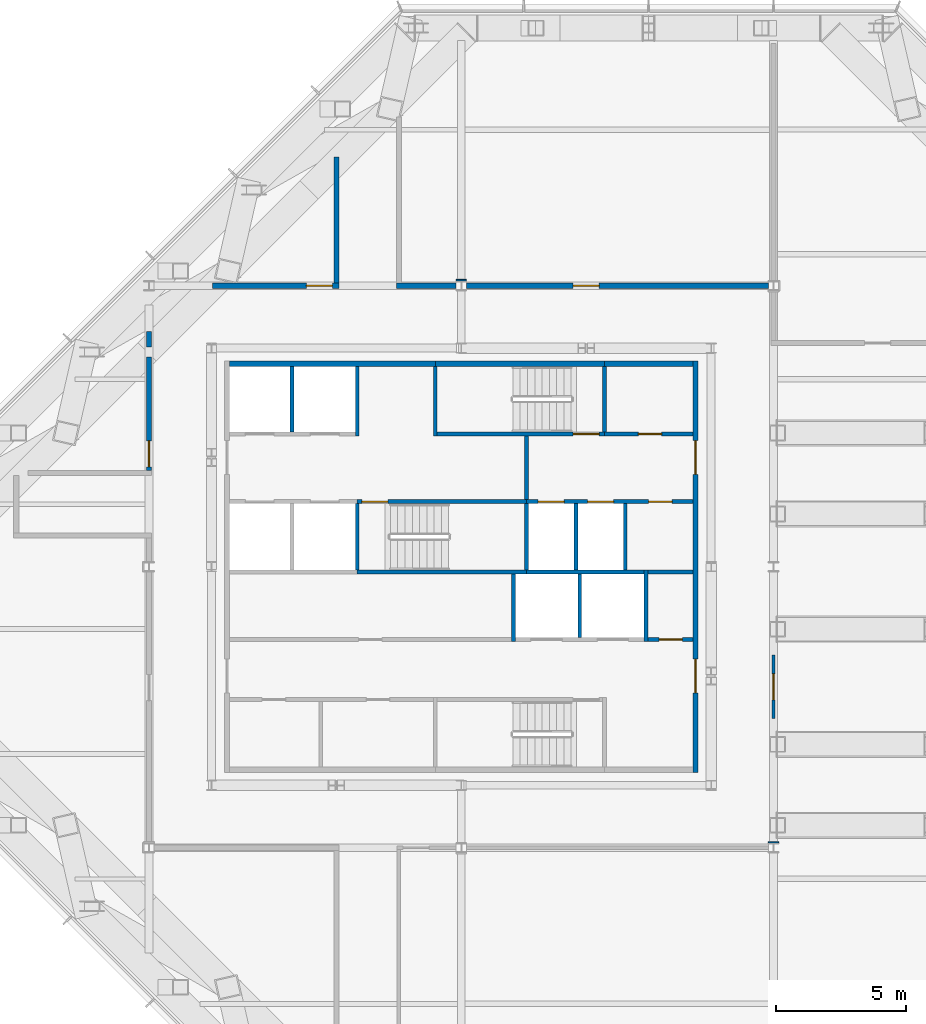
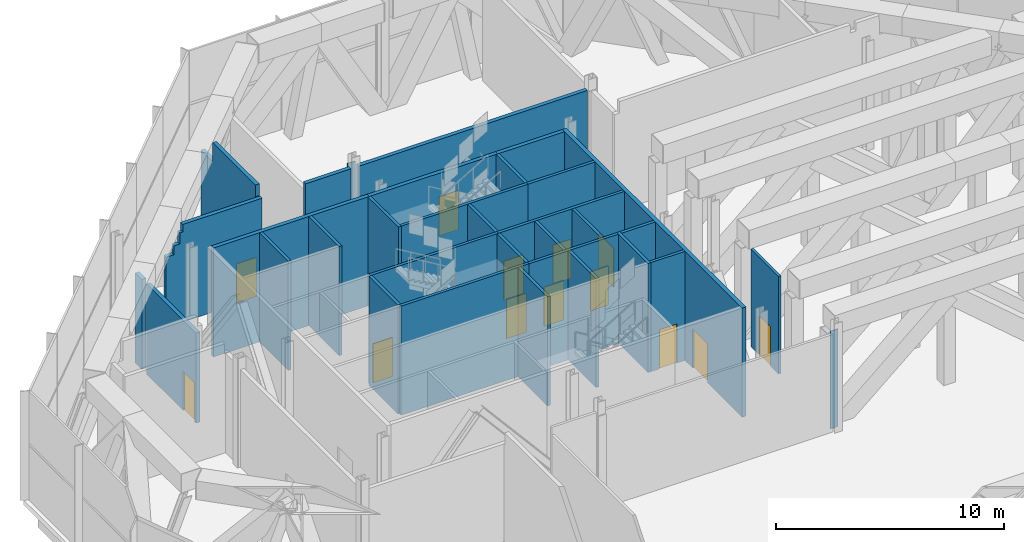
# One storey, part 15 of 18: 33 walls, 13 doors, 13 openings.
"""IFC4 building model written with IfcOpenShell, lengths in metres."""

import ifcopenshell
import ifcopenshell.guid

model = None  # the IFC model being written
_history = None  # IfcOwnerHistory: only IFC2X3 demands one
_inside = {}  # id of a spatial element -> (the spatial element, [elements in it])
_under = {}  # id of a project, library or spatial element -> (it, [spatial elements below it])
_declared = {}  # id of a project -> (the project, [libraries it declares])
_typed = {}  # id of a type object -> (the type object, [elements of that type])
_made_of = {}  # id of a material, layer set ... -> (it, [elements and type objects made of it])


def new_model(schema):
    """Start an empty IFC model of exactly this schema.

    Asked for "IFC4X3", IfcOpenShell would pick the latest addendum, in which some entities
    have other attributes; the version numbers below select the first issue.
    IFC2X3 requires an IfcOwnerHistory on every rooted entity: one is made here for all.
    """
    global model, _history
    if schema == "IFC4X3":
        model = ifcopenshell.file(schema_version=(4, 3, 0, 0))
    else:
        model = ifcopenshell.file(schema=schema)
    _inside.clear()
    _under.clear()
    _declared.clear()
    _typed.clear()
    _made_of.clear()
    _history = None
    if model.schema == "IFC2X3":
        org = make("IfcOrganization", Name="unknown")
        user = make(
            "IfcPersonAndOrganization",
            ThePerson=make("IfcPerson", FamilyName="unknown"),
            TheOrganization=org,
        )
        app = make(
            "IfcApplication",
            ApplicationDeveloper=org,
            Version="unknown",
            ApplicationFullName="unknown",
            ApplicationIdentifier="unknown",
        )
        _history = make(
            "IfcOwnerHistory",
            OwningUser=user,
            OwningApplication=app,
            ChangeAction="ADDED",
            CreationDate=0,
        )
    return model


def make(cls, **values):
    """One entity of the class cls with the attributes given. An attribute that is None is left unset."""
    return model.create_entity(
        cls, **{name: value for name, value in values.items() if value is not None}
    )


def rooted(cls, **values):
    """An entity with a GlobalId (a new one), such as an element, a storey or a relation."""
    return make(cls, GlobalId=ifcopenshell.guid.new(), OwnerHistory=_history, **values)


def si_unit(unit_type, name, prefix=None):
    """IfcSIUnit, for example si_unit("LENGTHUNIT", "METRE", prefix="MILLI")."""
    return make("IfcSIUnit", UnitType=unit_type, Prefix=prefix, Name=name)


def assignment(units):
    """IfcUnitAssignment: the units of a project."""
    return None if units is None else make("IfcUnitAssignment", Units=units)


def point(xyz):
    """IfcCartesianPoint."""
    return None if xyz is None else make("IfcCartesianPoint", Coordinates=xyz)


def direction(xyz):
    """IfcDirection."""
    return None if xyz is None else make("IfcDirection", DirectionRatios=xyz)


def frame(location, z_axis=None, x_axis=None):
    """IfcAxis2Placement3D, a coordinate frame: its origin and axes. An axis left out is left unset."""
    return make(
        "IfcAxis2Placement3D",
        Location=point(location),
        Axis=direction(z_axis),
        RefDirection=direction(x_axis),
    )


def frame_2d(location, x_axis=None):
    """IfcAxis2Placement2D, a coordinate frame in the plane: its origin and x axis."""
    return make(
        "IfcAxis2Placement2D", Location=point(location), RefDirection=direction(x_axis)
    )


def origin():
    """The frame at (0, 0, 0) with its axes left unset."""
    return frame((0.0, 0.0, 0.0))


def place(relative_to, where):
    """IfcLocalPlacement: puts the frame where relative to a parent placement (None: the world)."""
    return make(
        "IfcLocalPlacement", PlacementRelTo=relative_to, RelativePlacement=where
    )


def context(
    kind, dimensions, precision=None, world=None, true_north=None, identifier=None
):
    """IfcGeometricRepresentationContext, for example the 3D "Model" context."""
    return make(
        "IfcGeometricRepresentationContext",
        ContextIdentifier=identifier,
        ContextType=kind,
        CoordinateSpaceDimension=dimensions,
        Precision=precision,
        WorldCoordinateSystem=world,
        TrueNorth=true_north,
    )


def subcontext(parent, identifier, kind, view, scale=None):
    """IfcGeometricRepresentationSubContext, for example "Body" below "Model"."""
    return make(
        "IfcGeometricRepresentationSubContext",
        ContextIdentifier=identifier,
        ContextType=kind,
        ParentContext=parent,
        TargetScale=scale,
        TargetView=view,
    )


def project(units=None, contexts=None):
    """IfcProject with its units and contexts."""
    return rooted(
        "IfcProject",
        Name="project",
        RepresentationContexts=contexts,
        UnitsInContext=assignment(units),
    )


def spatial(cls, under=None, at=None, **own):
    """A site, building, storey or space (cls), placed at a placement, below another one or the project."""
    s = rooted(cls, ObjectPlacement=at, **own)
    if under is not None:
        _under.setdefault(under.id(), (under, []))[1].append(s)
    return s


def polyline(points):
    """IfcPolyline through the points."""
    return make("IfcPolyline", Points=[point(p) for p in points])


def profile(cls, at=None, kind="AREA", **sizes):
    """A parametric profile (cls). Its sizes go by their IFC names, for example OverallWidth=200.0."""
    return make(cls, ProfileType=kind, Position=at, **sizes)


def rectangle(**sizes):
    """IfcRectangleProfileDef."""
    return profile("IfcRectangleProfileDef", **sizes)


def outline(outer, holes=None, kind="AREA"):
    """IfcArbitraryClosedProfileDef: a profile drawn as a closed curve; with holes, ...WithVoids."""
    if holes is None:
        return make("IfcArbitraryClosedProfileDef", ProfileType=kind, OuterCurve=outer)
    return make(
        "IfcArbitraryProfileDefWithVoids",
        ProfileType=kind,
        OuterCurve=outer,
        InnerCurves=holes,
    )


def extrude(swept, where, along, depth):
    """IfcExtrudedAreaSolid: the profile swept, set in the frame where, extruded along a direction by depth."""
    return make(
        "IfcExtrudedAreaSolid",
        SweptArea=swept,
        Position=where,
        ExtrudedDirection=direction(along),
        Depth=depth,
    )


def shape(context_of_items, identifier, shape_type, items):
    """IfcShapeRepresentation: the items that make up one representation, for example the "Body"."""
    return make(
        "IfcShapeRepresentation",
        ContextOfItems=context_of_items,
        RepresentationIdentifier=identifier,
        RepresentationType=shape_type,
        Items=items,
    )


def material(Name=None, Category=None):
    """IfcMaterial."""
    return make("IfcMaterial", Name=Name, Category=Category)


def layer(
    of_material, thickness, ventilated=None, Name=None, Category=None, Priority=None
):
    """IfcMaterialLayer: one layer of a wall or slab, of a material (None: an air gap)."""
    return make(
        "IfcMaterialLayer",
        Material=of_material,
        LayerThickness=thickness,
        IsVentilated=ventilated,
        Name=Name,
        Category=Category,
        Priority=Priority,
    )


def layer_set(layers, Name=None):
    """IfcMaterialLayerSet."""
    return make("IfcMaterialLayerSet", MaterialLayers=layers, LayerSetName=Name)


def made_of(thing, what):
    """Note that an element or type object is made of a material, layer set ...; save() writes the relation."""
    if what is not None:
        _made_of.setdefault(what.id(), (what, []))[1].append(thing)
    return thing


def type_object(cls, material=None, **own):
    """A type object (cls), such as IfcWallType, which elements share."""
    return made_of(rooted(cls, **own), material)


def element(
    cls,
    number,
    at=None,
    inside=None,
    cuts=None,
    type_object=None,
    material=None,
    context=None,
    identifier="Body",
    shape_type=None,
    held_by="IfcProductDefinitionShape",
    body=None,
    shapes=None,
    **own,
):
    """One element of the class cls, such as IfcWall. Its Tag is "e" and its number.

    at: its placement. inside: the storey or other place that contains it. cuts: it is an
    opening in that element (IfcRelVoidsElement). A single representation is given by context,
    identifier, shape_type and body (its items); several are given by shapes. held_by: the class
    of the entity that holds the representations. save() writes the other relations.
    """
    e = rooted(cls, Tag="e%d" % number, ObjectPlacement=at, **own)
    if body is not None:
        shapes = [shape(context, identifier, shape_type, body)]
    if shapes is not None:
        e.Representation = make(held_by, Representations=shapes)
    if inside is not None:
        _inside.setdefault(inside.id(), (inside, []))[1].append(e)
    if cuts is not None:
        rooted(
            "IfcRelVoidsElement", RelatingBuildingElement=cuts, RelatedOpeningElement=e
        )
    if type_object is not None:
        _typed.setdefault(type_object.id(), (type_object, []))[1].append(e)
    return made_of(e, material)


def fill(opening, filler):
    """IfcRelFillsElement: the door or window that sits in an opening."""
    return rooted(
        "IfcRelFillsElement",
        RelatingOpeningElement=opening,
        RelatedBuildingElement=filler,
    )


def aggregate(whole, parts):
    """IfcRelAggregates: a whole, such as a stair, and the parts it consists of."""
    return rooted("IfcRelAggregates", RelatingObject=whole, RelatedObjects=parts)


def save(model, path):
    """Write the relations noted so far, then the file.

    IfcRelAggregates (storeys below a building ...), IfcRelContainedInSpatialStructure (elements
    in a storey), IfcRelDefinesByType, IfcRelAssociatesMaterial and IfcRelDeclares: one each for
    every whole, place, type object, material and project.
    """
    for whole, parts in _under.values():
        aggregate(whole, parts)
    for where, things in _inside.values():
        rooted(
            "IfcRelContainedInSpatialStructure",
            RelatedElements=things,
            RelatingStructure=where,
        )
    for kind, things in _typed.values():
        rooted("IfcRelDefinesByType", RelatedObjects=things, RelatingType=kind)
    for what, things in _made_of.values():
        rooted("IfcRelAssociatesMaterial", RelatedObjects=things, RelatingMaterial=what)
    for by, libraries in _declared.values():
        rooted("IfcRelDeclares", RelatingContext=by, RelatedDefinitions=libraries)
    model.write(path)


model = new_model("IFC4")

# Units and contexts
model_context = context("Model", 3, precision=1e-05, world=origin(), true_north=direction((0.0, 1.0)))
body_context = subcontext(model_context, "Body", "Model", "MODEL_VIEW")
ifc_project = project(units=[si_unit("LENGTHUNIT", "METRE"), si_unit("AREAUNIT", "SQUARE_METRE"), si_unit("VOLUMEUNIT", "CUBIC_METRE"), si_unit("PLANEANGLEUNIT", "RADIAN"), si_unit("MASSUNIT", "GRAM", prefix="KILO")], contexts=[model_context])

# Site, building, storey
site_placement = place(None, origin())
site = spatial("IfcSite", under=ifc_project, at=site_placement, CompositionType="ELEMENT")
building_placement = place(site_placement, origin())
building = spatial("IfcBuilding", under=site, at=building_placement, Name="Cairn Pilgrim Tower", CompositionType="ELEMENT")
storey_placement = place(building_placement, frame((0.0, 0.0, 261.0)))
storey = spatial("IfcBuildingStorey", under=building, at=storey_placement, Name="L67", CompositionType="ELEMENT", Elevation=261.0)

# Walls
ifc_material_1 = material(Name="Concrete C32/40", Category="concrete")
ifc_layer_1 = layer(ifc_material_1, 0.199951171875)
ifc_layer_set_1 = layer_set([ifc_layer_1], Name="CORE OUTER WALL 200 EI 120")
wall_type_1 = type_object("IfcWallType", Name="CORE OUTER WALL 200 EI 120", PredefinedType="SOLIDWALL", material=ifc_layer_set_1)
wall_1_placement = place(storey_placement, frame((-1.699951171875, 10.199951171875, 0.0), z_axis=(0.0, 0.0, 1.0), x_axis=(1.0, 0.0, 0.0)))
element("IfcWall", 1, at=wall_1_placement, inside=storey, type_object=wall_type_1, Name="CW:L67:H12-1", PredefinedType="SOLIDWALL", context=body_context, shape_type="SweptSolid", body=[
    extrude(rectangle(XDim=7.89990234375, YDim=0.199951171875, at=frame_2d((3.949951171875, 0.0))), origin(), (0.0, 0.0, 1.0), 5.85009765625),
])
wall_2_placement = place(storey_placement, frame((12.699951171875, 10.199951171875, 0.0), z_axis=(0.0, 0.0, 1.0), x_axis=(1.0, 0.0, 0.0)))
element("IfcWall", 2, at=wall_2_placement, inside=storey, type_object=wall_type_1, Name="CW:L67:H12-3", PredefinedType="SOLIDWALL", context=body_context, shape_type="SweptSolid", body=[
    extrude(rectangle(XDim=3.400146484375, YDim=0.199951171875, at=frame_2d((1.7001953125, 0.0))), origin(), (0.0, 0.0, 1.0), 5.85009765625),
])

# Wall, openings, doors
wall_3_placement = place(storey_placement, frame((16.199951171875, -5.5, 0.0), z_axis=(0.0, 0.0, 1.0), x_axis=(0.0, 1.0, 0.0)))
wall_3 = element("IfcWall", 3, at=wall_3_placement, inside=storey, type_object=wall_type_1, Name="CW:L67:V30", PredefinedType="SOLIDWALL", context=body_context, shape_type="SweptSolid", body=[
    extrude(rectangle(XDim=15.800048828125, YDim=0.199951171875, at=frame_2d((7.89990234375, 0.0))), origin(), (0.0, 0.0, 1.0), 5.85009765625),
])
opening_1_placement = place(wall_3_placement, frame((3.050048828125, 0.0, 0.0)))
opening_1 = element("IfcOpeningElement", 4, at=opening_1_placement, cuts=wall_3, Name="Opening CD-E1", PredefinedType="OPENING", context=body_context, shape_type="SweptSolid", body=[
    extrude(rectangle(XDim=1.300048828125, YDim=2.10009765625, at=frame_2d((0.64990234375, 1.050048828125))), frame((0.0, 0.10986328125, 0.0), z_axis=(0.0, -1.0, 0.0), x_axis=(1.0, 0.0, 0.0)), (0.0, 0.0, 1.0), 0.219970703125),
])
opening_2_placement = place(wall_3_placement, frame((11.449951171875, 0.0, 0.0)))
opening_2 = element("IfcOpeningElement", 5, at=opening_2_placement, cuts=wall_3, Name="Opening CD-E2", PredefinedType="OPENING", context=body_context, shape_type="SweptSolid", body=[
    extrude(rectangle(XDim=1.300048828125, YDim=2.10009765625, at=frame_2d((0.64990234375, 1.050048828125))), frame((0.0, 0.10986328125, 0.0), z_axis=(0.0, -1.0, 0.0), x_axis=(1.0, 0.0, 0.0)), (0.0, 0.0, 1.0), 0.219970703125),
])
ifc_material_2 = material(Name="Painted steel", Category="steel")
door_type_1 = type_object("IfcDoorType", Name="CORE LOBBY DOOR 1300x2100", OperationType="DOUBLE_DOOR_SINGLE_SWING", PredefinedType="DOOR", material=ifc_material_2)
door_1_placement = place(opening_1_placement, origin())
door_1 = element("IfcDoor", 6, at=door_1_placement, inside=storey, type_object=door_type_1, Name="CD-E1", OperationType="DOUBLE_DOOR_SINGLE_SWING", OverallHeight=2.10009765625, OverallWidth=1.300048828125, PredefinedType="DOOR", context=body_context, shape_type="SweptSolid", body=[
    extrude(rectangle(XDim=1.300048828125, YDim=2.10009765625, at=frame_2d((0.64990234375, 1.050048828125))), frame((0.0, 0.02490234375, 0.0), z_axis=(0.0, -1.0, 0.0), x_axis=(1.0, 0.0, 0.0)), (0.0, 0.0, 1.0), 0.050048828125),
])
fill(opening_1, door_1)
door_2_placement = place(opening_2_placement, origin())
door_2 = element("IfcDoor", 7, at=door_2_placement, inside=storey, type_object=door_type_1, Name="CD-E2", OperationType="DOUBLE_DOOR_SINGLE_SWING", OverallHeight=2.10009765625, OverallWidth=1.300048828125, PredefinedType="DOOR", context=body_context, shape_type="SweptSolid", body=[
    extrude(rectangle(XDim=1.300048828125, YDim=2.10009765625, at=frame_2d((0.64990234375, 1.050048828125))), frame((0.0, 0.02490234375, 0.0), z_axis=(0.0, -1.0, 0.0), x_axis=(1.0, 0.0, 0.0)), (0.0, 0.0, 1.0), 0.050048828125),
])
fill(opening_2, door_2)

# Wall, opening, door
ifc_layer_2 = layer(ifc_material_1, 0.14990234375)
ifc_layer_set_2 = layer_set([ifc_layer_2], Name="CORE PARTITION 150 EI 60")
wall_type_2 = type_object("IfcWallType", Name="CORE PARTITION 150 EI 60", PredefinedType="PARTITIONING", material=ifc_layer_set_2)
wall_4_placement = place(storey_placement, frame((14.375, -0.39990234375, 0.0), z_axis=(0.0, 0.0, 1.0), x_axis=(1.0, 0.0, 0.0)))
wall_4 = element("IfcWall", 8, at=wall_4_placement, inside=storey, type_object=wall_type_2, Name="CW:L67:H06", PredefinedType="PARTITIONING", context=body_context, shape_type="SweptSolid", body=[
    extrude(rectangle(XDim=1.72509765625, YDim=0.14990234375, at=frame_2d((0.862548828125, 0.0))), origin(), (0.0, 0.0, 1.0), 5.85009765625),
])
opening_3_placement = place(wall_4_placement, frame((0.425048828125, 0.0, 0.0)))
opening_3 = element("IfcOpeningElement", 9, at=opening_3_placement, cuts=wall_4, Name="Opening RD-R2E", PredefinedType="OPENING", context=body_context, shape_type="SweptSolid", body=[
    extrude(rectangle(XDim=0.89990234375, YDim=2.10009765625, at=frame_2d((0.449951171875, 1.050048828125))), frame((0.0, 0.0849609375, 0.0), z_axis=(0.0, -1.0, 0.0), x_axis=(1.0, 0.0, 0.0)), (0.0, 0.0, 1.0), 0.169921875),
])
door_type_2 = type_object("IfcDoorType", Name="SERVICE ROOM DOOR 900x2100", OperationType="SINGLE_SWING_LEFT", PredefinedType="DOOR", material=ifc_material_2)
door_3_placement = place(opening_3_placement, origin())
door_3 = element("IfcDoor", 10, at=door_3_placement, inside=storey, type_object=door_type_2, Name="RD-R2E", OperationType="SINGLE_SWING_LEFT", OverallHeight=2.10009765625, OverallWidth=0.89990234375, PredefinedType="DOOR", context=body_context, shape_type="SweptSolid", body=[
    extrude(rectangle(XDim=0.89990234375, YDim=2.10009765625, at=frame_2d((0.449951171875, 1.050048828125))), frame((0.0, 0.02490234375, 0.0), z_axis=(0.0, -1.0, 0.0), x_axis=(1.0, 0.0, 0.0)), (0.0, 0.0, 1.0), 0.050048828125),
])
fill(opening_3, door_3)

# Walls
wall_5_placement = place(storey_placement, frame((14.375, 2.199951171875, 0.0), z_axis=(0.0, 0.0, 1.0), x_axis=(1.0, 0.0, 0.0)))
element("IfcWall", 11, at=wall_5_placement, inside=storey, type_object=wall_type_2, Name="CW:L67:H08", PredefinedType="PARTITIONING", context=body_context, shape_type="SweptSolid", body=[
    extrude(rectangle(XDim=1.72509765625, YDim=0.14990234375, at=frame_2d((0.862548828125, 0.0))), origin(), (0.0, 0.0, 1.0), 5.85009765625),
])
ifc_layer_3 = layer(ifc_material_1, 0.14990234375)
ifc_layer_set_3 = layer_set([ifc_layer_3], Name="CORE SHAFT WALL 150 EI 120")
wall_type_3 = type_object("IfcWallType", Name="CORE SHAFT WALL 150 EI 120", PredefinedType="SOLIDWALL", material=ifc_layer_set_3)
wall_6_placement = place(storey_placement, frame((9.699951171875, 2.199951171875, 0.0), z_axis=(0.0, 0.0, 1.0), x_axis=(1.0, 0.0, 0.0)))
element("IfcWall", 12, at=wall_6_placement, inside=storey, type_object=wall_type_3, Name="CW:L67:H07-3", PredefinedType="SOLIDWALL", context=body_context, shape_type="SweptSolid", body=[
    extrude(rectangle(XDim=4.525146484375, YDim=0.14990234375, at=frame_2d((2.2626953125, 0.0))), origin(), (0.0, 0.0, 1.0), 5.85009765625),
])

# Wall, openings, doors
wall_7_placement = place(storey_placement, frame((9.699951171875, 4.89990234375, 0.0), z_axis=(0.0, 0.0, 1.0), x_axis=(1.0, 0.0, 0.0)))
wall_7 = element("IfcWall", 13, at=wall_7_placement, inside=storey, type_object=wall_type_3, Name="CW:L67:H09-3", PredefinedType="SOLIDWALL", context=body_context, shape_type="SweptSolid", body=[
    extrude(rectangle(XDim=6.400146484375, YDim=0.14990234375, at=frame_2d((3.2001953125, 0.0))), origin(), (0.0, 0.0, 1.0), 5.85009765625),
])
opening_4_placement = place(wall_7_placement, frame((0.449951171875, 0.0, 0.0)))
opening_4 = element("IfcOpeningElement", 14, at=opening_4_placement, cuts=wall_7, Name="Opening LD-FF1", PredefinedType="OPENING", context=body_context, shape_type="SweptSolid", body=[
    extrude(rectangle(XDim=1.0, YDim=2.10009765625, at=frame_2d((0.5, 1.050048828125))), frame((0.0, 0.0849609375, 0.0), z_axis=(0.0, -1.0, 0.0), x_axis=(1.0, 0.0, 0.0)), (0.0, 0.0, 1.0), 0.169921875),
])
opening_5_placement = place(wall_7_placement, frame((2.35009765625, 0.0, 0.0)))
opening_5 = element("IfcOpeningElement", 15, at=opening_5_placement, cuts=wall_7, Name="Opening LD-FF2", PredefinedType="OPENING", context=body_context, shape_type="SweptSolid", body=[
    extrude(rectangle(XDim=1.0, YDim=2.10009765625, at=frame_2d((0.5, 1.050048828125))), frame((0.0, 0.0849609375, 0.0), z_axis=(0.0, -1.0, 0.0), x_axis=(1.0, 0.0, 0.0)), (0.0, 0.0, 1.0), 0.169921875),
])
opening_6_placement = place(wall_7_placement, frame((4.699951171875, 0.0, 0.0)))
opening_6 = element("IfcOpeningElement", 16, at=opening_6_placement, cuts=wall_7, Name="Opening RD-R3E", PredefinedType="OPENING", context=body_context, shape_type="SweptSolid", body=[
    extrude(rectangle(XDim=0.89990234375, YDim=2.10009765625, at=frame_2d((0.449951171875, 1.050048828125))), frame((0.0, 0.0849609375, 0.0), z_axis=(0.0, -1.0, 0.0), x_axis=(1.0, 0.0, 0.0)), (0.0, 0.0, 1.0), 0.169921875),
])
ifc_material_3 = material(Name="Stainless steel", Category="steel")
door_type_3 = type_object("IfcDoorType", Name="LIFT LANDING DOOR FIRE 1000x2100", OperationType="DOUBLE_DOOR_SLIDING", PredefinedType="DOOR", material=ifc_material_3)
door_4_placement = place(opening_4_placement, origin())
door_4 = element("IfcDoor", 17, at=door_4_placement, inside=storey, type_object=door_type_3, Name="LANDING DOOR FF1", OperationType="DOUBLE_DOOR_SLIDING", OverallHeight=2.10009765625, OverallWidth=1.0, PredefinedType="DOOR", context=body_context, shape_type="SweptSolid", body=[
    extrude(rectangle(XDim=1.0, YDim=2.10009765625, at=frame_2d((0.5, 1.050048828125))), frame((0.0, 0.02490234375, 0.0), z_axis=(0.0, -1.0, 0.0), x_axis=(1.0, 0.0, 0.0)), (0.0, 0.0, 1.0), 0.050048828125),
])
fill(opening_4, door_4)
door_5_placement = place(opening_5_placement, origin())
door_5 = element("IfcDoor", 18, at=door_5_placement, inside=storey, type_object=door_type_3, Name="LANDING DOOR FF2", OperationType="DOUBLE_DOOR_SLIDING", OverallHeight=2.10009765625, OverallWidth=1.0, PredefinedType="DOOR", context=body_context, shape_type="SweptSolid", body=[
    extrude(rectangle(XDim=1.0, YDim=2.10009765625, at=frame_2d((0.5, 1.050048828125))), frame((0.0, 0.02490234375, 0.0), z_axis=(0.0, -1.0, 0.0), x_axis=(1.0, 0.0, 0.0)), (0.0, 0.0, 1.0), 0.050048828125),
])
fill(opening_5, door_5)
door_6_placement = place(opening_6_placement, origin())
door_6 = element("IfcDoor", 19, at=door_6_placement, inside=storey, type_object=door_type_2, Name="RD-R3E", OperationType="SINGLE_SWING_RIGHT", OverallHeight=2.10009765625, OverallWidth=0.89990234375, PredefinedType="DOOR", context=body_context, shape_type="SweptSolid", body=[
    extrude(rectangle(XDim=0.89990234375, YDim=2.10009765625, at=frame_2d((0.449951171875, 1.050048828125))), frame((0.0, 0.02490234375, 0.0), z_axis=(0.0, -1.0, 0.0), x_axis=(1.0, 0.0, 0.0)), (0.0, 0.0, 1.0), 0.050048828125),
])
fill(opening_6, door_6)

# Wall, opening, door
wall_8_placement = place(storey_placement, frame((12.699951171875, 7.5, 0.0), z_axis=(0.0, 0.0, 1.0), x_axis=(1.0, 0.0, 0.0)))
wall_8 = element("IfcWall", 20, at=wall_8_placement, inside=storey, type_object=wall_type_3, Name="CW:L67:H11-2", PredefinedType="SOLIDWALL", context=body_context, shape_type="SweptSolid", body=[
    extrude(rectangle(XDim=3.400146484375, YDim=0.14990234375, at=frame_2d((1.7001953125, 0.0))), origin(), (0.0, 0.0, 1.0), 5.85009765625),
])
opening_7_placement = place(wall_8_placement, frame((1.300048828125, 0.0, 0.0)))
opening_7 = element("IfcOpeningElement", 21, at=opening_7_placement, cuts=wall_8, Name="Opening RD-R4E", PredefinedType="OPENING", context=body_context, shape_type="SweptSolid", body=[
    extrude(rectangle(XDim=0.89990234375, YDim=2.10009765625, at=frame_2d((0.449951171875, 1.050048828125))), frame((0.0, 0.0849609375, 0.0), z_axis=(0.0, -1.0, 0.0), x_axis=(1.0, 0.0, 0.0)), (0.0, 0.0, 1.0), 0.169921875),
])
door_7_placement = place(opening_7_placement, origin())
door_7 = element("IfcDoor", 22, at=door_7_placement, inside=storey, type_object=door_type_2, Name="RD-R4E", OperationType="SINGLE_SWING_LEFT", OverallHeight=2.10009765625, OverallWidth=0.89990234375, PredefinedType="DOOR", context=body_context, shape_type="SweptSolid", body=[
    extrude(rectangle(XDim=0.89990234375, YDim=2.10009765625, at=frame_2d((0.449951171875, 1.050048828125))), frame((0.0, 0.02490234375, 0.0), z_axis=(0.0, -1.0, 0.0), x_axis=(1.0, 0.0, 0.0)), (0.0, 0.0, 1.0), 0.050048828125),
])
fill(opening_7, door_7)

# Walls
wall_9_placement = place(storey_placement, frame((0.699951171875, 7.574951171875, 0.0), z_axis=(0.0, 0.0, 1.0), x_axis=(0.0, 1.0, 0.0)))
element("IfcWall", 23, at=wall_9_placement, inside=storey, type_object=wall_type_3, Name="CW:L67:V15", PredefinedType="SOLIDWALL", context=body_context, shape_type="SweptSolid", body=[
    extrude(rectangle(XDim=2.525146484375, YDim=0.14990234375, at=frame_2d((1.2626953125, 0.0))), origin(), (0.0, 0.0, 1.0), 5.85009765625),
])
wall_10_placement = place(storey_placement, frame((3.199951171875, 7.425048828125, 0.0), z_axis=(0.0, 0.0, 1.0), x_axis=(0.0, 1.0, 0.0)))
element("IfcWall", 24, at=wall_10_placement, inside=storey, type_object=wall_type_3, Name="CW:L67:V18", PredefinedType="SOLIDWALL", context=body_context, shape_type="SweptSolid", body=[
    extrude(rectangle(XDim=2.675048828125, YDim=0.14990234375, at=frame_2d((1.33740234375, 0.0))), origin(), (0.0, 0.0, 1.0), 5.85009765625),
])
wall_11_placement = place(storey_placement, frame((9.199951171875, -0.47509765625, 0.0), z_axis=(0.0, 0.0, 1.0), x_axis=(0.0, 1.0, 0.0)))
element("IfcWall", 25, at=wall_11_placement, inside=storey, type_object=wall_type_3, Name="CW:L67:V21", PredefinedType="SOLIDWALL", context=body_context, shape_type="SweptSolid", body=[
    extrude(rectangle(XDim=2.60009765625, YDim=0.14990234375, at=frame_2d((1.300048828125, 0.0))), origin(), (0.0, 0.0, 1.0), 5.85009765625),
])
wall_12_placement = place(storey_placement, frame((9.699951171875, 4.97509765625, 0.0), z_axis=(0.0, 0.0, 1.0), x_axis=(0.0, 1.0, 0.0)))
element("IfcWall", 26, at=wall_12_placement, inside=storey, type_object=wall_type_3, Name="CW:L67:V23", PredefinedType="SOLIDWALL", context=body_context, shape_type="SweptSolid", body=[
    extrude(rectangle(XDim=2.449951171875, YDim=0.14990234375, at=frame_2d((1.22509765625, 0.0))), origin(), (0.0, 0.0, 1.0), 5.85009765625),
])
wall_13_placement = place(storey_placement, frame((11.60009765625, 2.27490234375, 0.0), z_axis=(0.0, 0.0, 1.0), x_axis=(0.0, 1.0, 0.0)))
element("IfcWall", 27, at=wall_13_placement, inside=storey, type_object=wall_type_3, Name="CW:L67:V24", PredefinedType="SOLIDWALL", context=body_context, shape_type="SweptSolid", body=[
    extrude(rectangle(XDim=2.550048828125, YDim=0.14990234375, at=frame_2d((1.27490234375, 0.0))), origin(), (0.0, 0.0, 1.0), 5.85009765625),
])
wall_14_placement = place(storey_placement, frame((11.75, -0.324951171875, 0.0), z_axis=(0.0, 0.0, 1.0), x_axis=(0.0, 1.0, 0.0)))
element("IfcWall", 28, at=wall_14_placement, inside=storey, type_object=wall_type_3, Name="CW:L67:V25", PredefinedType="SOLIDWALL", context=body_context, shape_type="SweptSolid", body=[
    extrude(rectangle(XDim=2.449951171875, YDim=0.14990234375, at=frame_2d((1.22509765625, 0.0))), origin(), (0.0, 0.0, 1.0), 5.85009765625),
])
wall_15_placement = place(storey_placement, frame((13.5, 2.27490234375, 0.0), z_axis=(0.0, 0.0, 1.0), x_axis=(0.0, 1.0, 0.0)))
element("IfcWall", 29, at=wall_15_placement, inside=storey, type_object=wall_type_3, Name="CW:L67:V28", PredefinedType="SOLIDWALL", context=body_context, shape_type="SweptSolid", body=[
    extrude(rectangle(XDim=2.550048828125, YDim=0.14990234375, at=frame_2d((1.27490234375, 0.0))), origin(), (0.0, 0.0, 1.0), 5.85009765625),
])
wall_16_placement = place(storey_placement, frame((14.300048828125, -0.47509765625, 0.0), z_axis=(0.0, 0.0, 1.0), x_axis=(0.0, 1.0, 0.0)))
element("IfcWall", 30, at=wall_16_placement, inside=storey, type_object=wall_type_3, Name="CW:L67:V29", PredefinedType="SOLIDWALL", context=body_context, shape_type="SweptSolid", body=[
    extrude(rectangle(XDim=2.75, YDim=0.14990234375, at=frame_2d((1.375, 0.0))), origin(), (0.0, 0.0, 1.0), 5.85009765625),
])

# Wall, opening, door
ifc_material_4 = material(Name="Gypsum partition")
ifc_layer_4 = layer(ifc_material_4, 0.125)
ifc_layer_set_4 = layer_set([ifc_layer_4], Name="PARTITION 125 DRYWALL EI 60")
wall_type_4 = type_object("IfcWallType", Name="PARTITION 125 DRYWALL EI 60", PredefinedType="PARTITIONING", material=ifc_layer_set_4)
wall_17_placement = place(storey_placement, frame((19.199951171875, -3.429931640625, 0.0), z_axis=(0.0, 0.0, 1.0), x_axis=(0.0, 1.0, 0.0)))
wall_17 = element("IfcWall", 31, at=wall_17_placement, inside=storey, type_object=wall_type_4, Name="PARTITION W008", PredefinedType="PARTITIONING", context=body_context, shape_type="SweptSolid", body=[
    extrude(rectangle(XDim=2.429931640625, YDim=0.125, at=frame_2d((1.21484375, 0.0))), origin(), (0.0, 0.0, 1.0), 5.22998046875),
])
opening_8_placement = place(wall_17_placement, frame((0.715087890625, 0.0, 0.0)))
opening_8 = element("IfcOpeningElement", 32, at=opening_8_placement, cuts=wall_17, Name="Opening 6708", PredefinedType="OPENING", context=body_context, shape_type="SweptSolid", body=[
    extrude(rectangle(XDim=1.0, YDim=2.10009765625, at=frame_2d((0.5, 1.050048828125))), frame((0.0, 0.072509765625, 0.0), z_axis=(0.0, -1.0, 0.0), x_axis=(1.0, 0.0, 0.0)), (0.0, 0.0, 1.0), 0.14501953125),
])
ifc_material_5 = material(Name="Steel-faced fire door leaf", Category="steel")
door_type_4 = type_object("IfcDoorType", Name="FIRE DOOR 1000x2100 FD60S", OperationType="NOTDEFINED", PredefinedType="DOOR", material=ifc_material_5)
door_8_placement = place(opening_8_placement, origin())
door_8 = element("IfcDoor", 33, at=door_8_placement, inside=storey, type_object=door_type_4, Name="DOOR 6708", OperationType="SINGLE_SWING_RIGHT", OverallHeight=2.10009765625, OverallWidth=1.0, PredefinedType="DOOR", context=body_context, shape_type="SweptSolid", body=[
    extrude(rectangle(XDim=1.0, YDim=2.10009765625, at=frame_2d((0.5, 1.050048828125))), frame((0.0, 0.02490234375, 0.0), z_axis=(0.0, -1.0, 0.0), x_axis=(1.0, 0.0, 0.0)), (0.0, 0.0, 1.0), 0.050048828125),
])
fill(opening_8, door_8)

# Walls
ifc_layer_5 = layer(ifc_material_4, 0.050048828125)
ifc_layer_set_5 = layer_set([ifc_layer_5], Name="PARTITION 50 DRYWALL EI 120")
wall_type_5 = type_object("IfcWallType", Name="PARTITION 50 DRYWALL EI 120", PredefinedType="PARTITIONING", material=ifc_layer_set_5)
wall_18_placement = place(storey_placement, frame((7.0029296875, 13.41259765625, 0.0), z_axis=(0.0, 0.0, 1.0), x_axis=(1.0, 0.0, 0.0)))
element("IfcWall", 34, at=wall_18_placement, inside=storey, type_object=wall_type_5, Name="COLUMN CASING WC07", PredefinedType="PARTITIONING", context=body_context, shape_type="SweptSolid", body=[
    extrude(rectangle(XDim=0.39404296875, YDim=0.050048828125, at=frame_2d((0.197021484375, 0.0))), origin(), (0.0, 0.0, 1.0), 5.330078125),
])
ifc_layer_6 = layer(ifc_material_4, 0.050048828125)
ifc_layer_set_6 = layer_set([ifc_layer_6], Name="PARTITION 50 DRYWALL EI 60")
wall_type_6 = type_object("IfcWallType", Name="PARTITION 50 DRYWALL EI 60", PredefinedType="PARTITIONING", material=ifc_layer_set_6)
wall_19_placement = place(storey_placement, frame((19.0029296875, -8.1875, 0.0), z_axis=(0.0, 0.0, 1.0), x_axis=(1.0, 0.0, 0.0)))
element("IfcWall", 35, at=wall_19_placement, inside=storey, type_object=wall_type_6, Name="COLUMN CASING WC03", PredefinedType="PARTITIONING", context=body_context, shape_type="SweptSolid", body=[
    extrude(rectangle(XDim=0.39404296875, YDim=0.050048828125, at=frame_2d((0.197021484375, 0.0))), origin(), (0.0, 0.0, 1.0), 5.22998046875),
])

# Wall, opening, door
ifc_layer_7 = layer(ifc_material_4, 0.199951171875)
ifc_layer_set_7 = layer_set([ifc_layer_7], Name="SHAFT WALL 200 GYPSUM EI 120")
wall_type_7 = type_object("IfcWallType", Name="SHAFT WALL 200 GYPSUM EI 120", PredefinedType="PARTITIONING", material=ifc_layer_set_7)
wall_20_placement = place(storey_placement, frame((-4.800048828125, 6.10009765625, 0.0), z_axis=(0.0, 0.0, 1.0), x_axis=(0.0, 1.0, 0.0)))
wall_20 = element("IfcWall", 36, at=wall_20_placement, inside=storey, type_object=wall_type_7, Name="PARTITION W013", PredefinedType="PARTITIONING", context=body_context, shape_type="SweptSolid", body=[
    extrude(outline(polyline([(0.0, 0.0), (4.35205078125, 0.0), (4.35205078125, 1.46240234375), (4.35205078125, 2.925048828125), (4.35205078125, 4.387451171875), (4.35205078125, 4.830078125), (0.0, 4.830078125), (0.0, 4.387451171875), (0.0, 2.925048828125), (0.0, 1.46240234375), (0.0, 0.0)])), frame((0.0, 0.10009765625, 0.0), z_axis=(0.0, -1.0, 0.0), x_axis=(1.0, 0.0, 0.0)), (0.0, 0.0, 1.0), 0.199951171875),
])
opening_9_placement = place(wall_20_placement, frame((0.139404296875, 0.0, 0.0)))
opening_9 = element("IfcOpeningElement", 37, at=opening_9_placement, cuts=wall_20, Name="Opening 6701", PredefinedType="OPENING", context=body_context, shape_type="SweptSolid", body=[
    extrude(rectangle(XDim=1.0, YDim=2.10009765625, at=frame_2d((0.5, 1.050048828125))), frame((0.0, 0.10986328125, 0.0), z_axis=(0.0, -1.0, 0.0), x_axis=(1.0, 0.0, 0.0)), (0.0, 0.0, 1.0), 0.219970703125),
])
door_9_placement = place(opening_9_placement, frame((1.0, 0.0, 0.0), z_axis=(0.0, 0.0, 1.0), x_axis=(-1.0, 0.0, 0.0)))
door_9 = element("IfcDoor", 38, at=door_9_placement, inside=storey, type_object=door_type_4, Name="DOOR 6701", OperationType="SINGLE_SWING_LEFT", OverallHeight=2.10009765625, OverallWidth=1.0, PredefinedType="DOOR", context=body_context, shape_type="SweptSolid", body=[
    extrude(rectangle(XDim=1.0, YDim=2.10009765625, at=frame_2d((0.5, 1.050048828125))), frame((0.0, 0.02490234375, 0.0), z_axis=(0.0, -1.0, 0.0), x_axis=(1.0, 0.0, 0.0)), (0.0, 0.0, 1.0), 0.050048828125),
])
fill(opening_9, door_9)

# Wall
wall_21_placement = place(storey_placement, frame((-4.800048828125, 10.85107421875, 0.0), z_axis=(0.0, 0.0, 1.0), x_axis=(0.0, 1.0, 0.0)))
element("IfcWall", 39, at=wall_21_placement, inside=storey, type_object=wall_type_7, Name="PARTITION W014", PredefinedType="PARTITIONING", context=body_context, shape_type="SweptSolid", body=[
    extrude(outline(polyline([(0.0, 0.0), (0.585693359375, 0.0), (0.585693359375, 1.46240234375), (0.585693359375, 2.925048828125), (0.585693359375, 4.387451171875), (0.585693359375, 4.830078125), (0.0, 4.830078125), (0.0, 4.387451171875), (0.0, 2.925048828125), (0.0, 1.46240234375), (0.0, 0.0)])), frame((0.0, 0.10009765625, 0.0), z_axis=(0.0, -1.0, 0.0), x_axis=(1.0, 0.0, 0.0)), (0.0, 0.0, 1.0), 0.199951171875),
])

# Wall, opening, door
wall_22_placement = place(storey_placement, frame((-2.370361328125, 13.199951171875, 0.0), z_axis=(0.0, 0.0, 1.0), x_axis=(1.0, 0.0, 0.0)))
wall_22 = element("IfcWall", 40, at=wall_22_placement, inside=storey, type_object=wall_type_7, Name="PARTITION W018", PredefinedType="PARTITIONING", context=body_context, shape_type="SweptSolid", body=[
    extrude(outline(polyline([(0.0, 0.0), (4.870361328125, 0.0), (4.870361328125, 5.22998046875), (0.850341796875, 5.22998046875), (0.848388671875, 4.830078125), (0.700927734375, 4.830078125), (0.698974609375, 4.23583984375), (0.404052734375, 4.23583984375), (0.402099609375, 3.7666015625), (0.0, 3.7666015625), (0.0, 0.0)])), frame((0.0, 0.10009765625, 0.0), z_axis=(0.0, -1.0, 0.0), x_axis=(1.0, 0.0, 0.0)), (0.0, 0.0, 1.0), 0.199951171875),
])
opening_10_placement = place(wall_22_placement, frame((3.6201171875, 0.0, 0.0)))
opening_10 = element("IfcOpeningElement", 41, at=opening_10_placement, cuts=wall_22, Name="Opening 6702", PredefinedType="OPENING", context=body_context, shape_type="SweptSolid", body=[
    extrude(rectangle(XDim=1.0, YDim=2.10009765625, at=frame_2d((0.5, 1.050048828125))), frame((0.0, 0.10986328125, 0.0), z_axis=(0.0, -1.0, 0.0), x_axis=(1.0, 0.0, 0.0)), (0.0, 0.0, 1.0), 0.219970703125),
])
door_10_placement = place(opening_10_placement, frame((1.0, 0.0, 0.0), z_axis=(0.0, 0.0, 1.0), x_axis=(-1.0, 0.0, 0.0)))
door_10 = element("IfcDoor", 42, at=door_10_placement, inside=storey, type_object=door_type_4, Name="DOOR 6702", OperationType="SINGLE_SWING_LEFT", OverallHeight=2.10009765625, OverallWidth=1.0, PredefinedType="DOOR", context=body_context, shape_type="SweptSolid", body=[
    extrude(rectangle(XDim=1.0, YDim=2.10009765625, at=frame_2d((0.5, 1.050048828125))), frame((0.0, 0.02490234375, 0.0), z_axis=(0.0, -1.0, 0.0), x_axis=(1.0, 0.0, 0.0)), (0.0, 0.0, 1.0), 0.050048828125),
])
fill(opening_10, door_10)

# Wall
wall_23_placement = place(storey_placement, frame((4.699951171875, 13.199951171875, 0.0), z_axis=(0.0, 0.0, 1.0), x_axis=(1.0, 0.0, 0.0)))
element("IfcWall", 43, at=wall_23_placement, inside=storey, type_object=wall_type_7, Name="PARTITION W019", PredefinedType="PARTITIONING", context=body_context, shape_type="SweptSolid", body=[
    extrude(rectangle(XDim=2.302978515625, YDim=0.199951171875, at=frame_2d((1.1513671875, 0.0))), origin(), (0.0, 0.0, 1.0), 5.22998046875),
])

# Wall, opening, door
wall_24_placement = place(storey_placement, frame((7.39697265625, 13.199951171875, 0.0), z_axis=(0.0, 0.0, 1.0), x_axis=(1.0, 0.0, 0.0)))
wall_24 = element("IfcWall", 44, at=wall_24_placement, inside=storey, type_object=wall_type_7, Name="PARTITION W020", PredefinedType="PARTITIONING", context=body_context, shape_type="SweptSolid", body=[
    extrude(rectangle(XDim=11.60595703125, YDim=0.199951171875, at=frame_2d((5.802978515625, 0.0))), origin(), (0.0, 0.0, 1.0), 5.22998046875),
])
opening_11_placement = place(wall_24_placement, frame((4.10302734375, 0.0, 0.0)))
opening_11 = element("IfcOpeningElement", 45, at=opening_11_placement, cuts=wall_24, Name="Opening 6703", PredefinedType="OPENING", context=body_context, shape_type="SweptSolid", body=[
    extrude(rectangle(XDim=1.0, YDim=2.10009765625, at=frame_2d((0.5, 1.050048828125))), frame((0.0, 0.10986328125, 0.0), z_axis=(0.0, -1.0, 0.0), x_axis=(1.0, 0.0, 0.0)), (0.0, 0.0, 1.0), 0.219970703125),
])
door_11_placement = place(opening_11_placement, frame((1.0, 0.0, 0.0), z_axis=(0.0, 0.0, 1.0), x_axis=(-1.0, 0.0, 0.0)))
door_11 = element("IfcDoor", 46, at=door_11_placement, inside=storey, type_object=door_type_4, Name="DOOR 6703", OperationType="SINGLE_SWING_RIGHT", OverallHeight=2.10009765625, OverallWidth=1.0, PredefinedType="DOOR", context=body_context, shape_type="SweptSolid", body=[
    extrude(rectangle(XDim=1.0, YDim=2.10009765625, at=frame_2d((0.5, 1.050048828125))), frame((0.0, 0.02490234375, 0.0), z_axis=(0.0, -1.0, 0.0), x_axis=(1.0, 0.0, 0.0)), (0.0, 0.0, 1.0), 0.050048828125),
])
fill(opening_11, door_11)

# Walls
wall_25_placement = place(storey_placement, frame((2.39990234375, 13.300048828125, 0.0), z_axis=(0.0, 0.0, 1.0), x_axis=(0.0, 1.0, 0.0)))
element("IfcWall", 47, at=wall_25_placement, inside=storey, type_object=wall_type_7, Name="PARTITION W021", PredefinedType="PARTITIONING", context=body_context, shape_type="SweptSolid", body=[
    extrude(outline(polyline([(0.0, 0.0), (4.839599609375, 0.0), (4.839599609375, 4.830078125), (3.820068359375, 4.830078125), (3.818115234375, 5.85009765625), (0.050048828125, 5.85009765625), (0.048095703125, 5.22998046875), (0.0, 5.22998046875), (0.0, 0.0)])), frame((0.0, 0.10009765625, 0.0), z_axis=(0.0, -1.0, 0.0), x_axis=(1.0, 0.0, 0.0)), (0.0, 0.0, 1.0), 0.199951171875),
])
ifc_material_6 = material(Name="Concrete C35/45", Category="concrete")
ifc_layer_8 = layer(ifc_material_6, 0.14990234375)
ifc_layer_set_8 = layer_set([ifc_layer_8], Name="STAIR SHAFT WALL 150 EI 120")
wall_type_8 = type_object("IfcWallType", Name="STAIR SHAFT WALL 150 EI 120", PredefinedType="SOLIDWALL", material=ifc_layer_set_8)
wall_26_placement = place(storey_placement, frame((3.199951171875, 2.199951171875, 0.0), z_axis=(0.0, 0.0, 1.0), x_axis=(1.0, 0.0, 0.0)))
element("IfcWall", 48, at=wall_26_placement, inside=storey, type_object=wall_type_8, Name="CW:L67:H07-2", PredefinedType="SOLIDWALL", context=body_context, shape_type="SweptSolid", body=[
    extrude(rectangle(XDim=6.5, YDim=0.14990234375, at=frame_2d((3.25, 0.0))), origin(), (0.0, 0.0, 1.0), 5.85009765625),
])

# Wall, opening, door
wall_27_placement = place(storey_placement, frame((3.199951171875, 4.89990234375, 0.0), z_axis=(0.0, 0.0, 1.0), x_axis=(1.0, 0.0, 0.0)))
wall_27 = element("IfcWall", 49, at=wall_27_placement, inside=storey, type_object=wall_type_8, Name="CW:L67:H09-2", PredefinedType="SOLIDWALL", context=body_context, shape_type="SweptSolid", body=[
    extrude(rectangle(XDim=6.5, YDim=0.14990234375, at=frame_2d((3.25, 0.0))), origin(), (0.0, 0.0, 1.0), 5.85009765625),
])
opening_12_placement = place(wall_27_placement, frame((0.175048828125, 0.0, 0.0)))
opening_12 = element("IfcOpeningElement", 50, at=opening_12_placement, cuts=wall_27, Name="Opening SD-B", PredefinedType="OPENING", context=body_context, shape_type="SweptSolid", body=[
    extrude(rectangle(XDim=1.0, YDim=2.10009765625, at=frame_2d((0.5, 1.050048828125))), frame((0.0, 0.0849609375, 0.0), z_axis=(0.0, -1.0, 0.0), x_axis=(1.0, 0.0, 0.0)), (0.0, 0.0, 1.0), 0.169921875),
])
door_type_5 = type_object("IfcDoorType", Name="STAIR DOOR FD60S 1000x2100", OperationType="SINGLE_SWING_LEFT", PredefinedType="DOOR", material=ifc_material_2)
door_12_placement = place(opening_12_placement, origin())
door_12 = element("IfcDoor", 51, at=door_12_placement, inside=storey, type_object=door_type_5, Name="SD-B", OperationType="SINGLE_SWING_LEFT", OverallHeight=2.10009765625, OverallWidth=1.0, PredefinedType="DOOR", context=body_context, shape_type="SweptSolid", body=[
    extrude(rectangle(XDim=1.0, YDim=2.10009765625, at=frame_2d((0.5, 1.050048828125))), frame((0.0, 0.02490234375, 0.0), z_axis=(0.0, -1.0, 0.0), x_axis=(1.0, 0.0, 0.0)), (0.0, 0.0, 1.0), 0.050048828125),
])
fill(opening_12, door_12)

wall_28_placement = place(storey_placement, frame((6.27490234375, 7.5, 0.0), z_axis=(0.0, 0.0, 1.0), x_axis=(1.0, 0.0, 0.0)))
wall_28 = element("IfcWall", 52, at=wall_28_placement, inside=storey, type_object=wall_type_8, Name="CW:L67:H11-1", PredefinedType="SOLIDWALL", context=body_context, shape_type="SweptSolid", body=[
    extrude(rectangle(XDim=6.425048828125, YDim=0.14990234375, at=frame_2d((3.21240234375, 0.0))), origin(), (0.0, 0.0, 1.0), 5.85009765625),
])
opening_13_placement = place(wall_28_placement, frame((5.22509765625, 0.0, 0.0)))
opening_13 = element("IfcOpeningElement", 53, at=opening_13_placement, cuts=wall_28, Name="Opening SD-C", PredefinedType="OPENING", context=body_context, shape_type="SweptSolid", body=[
    extrude(rectangle(XDim=1.0, YDim=2.10009765625, at=frame_2d((0.5, 1.050048828125))), frame((0.0, 0.0849609375, 0.0), z_axis=(0.0, -1.0, 0.0), x_axis=(1.0, 0.0, 0.0)), (0.0, 0.0, 1.0), 0.169921875),
])
door_13_placement = place(opening_13_placement, origin())
door_13 = element("IfcDoor", 54, at=door_13_placement, inside=storey, type_object=door_type_5, Name="SD-C", OperationType="SINGLE_SWING_RIGHT", OverallHeight=2.10009765625, OverallWidth=1.0, PredefinedType="DOOR", context=body_context, shape_type="SweptSolid", body=[
    extrude(rectangle(XDim=1.0, YDim=2.10009765625, at=frame_2d((0.5, 1.050048828125))), frame((0.0, 0.02490234375, 0.0), z_axis=(0.0, -1.0, 0.0), x_axis=(1.0, 0.0, 0.0)), (0.0, 0.0, 1.0), 0.050048828125),
])
fill(opening_13, door_13)

# Walls
wall_29_placement = place(storey_placement, frame((3.199951171875, 2.27490234375, 0.0), z_axis=(0.0, 0.0, 1.0), x_axis=(0.0, 1.0, 0.0)))
element("IfcWall", 55, at=wall_29_placement, inside=storey, type_object=wall_type_8, Name="CW:L67:V17", PredefinedType="SOLIDWALL", context=body_context, shape_type="SweptSolid", body=[
    extrude(rectangle(XDim=2.550048828125, YDim=0.14990234375, at=frame_2d((1.27490234375, 0.0))), origin(), (0.0, 0.0, 1.0), 5.85009765625),
])
wall_30_placement = place(storey_placement, frame((6.199951171875, 7.425048828125, 0.0), z_axis=(0.0, 0.0, 1.0), x_axis=(0.0, 1.0, 0.0)))
element("IfcWall", 56, at=wall_30_placement, inside=storey, type_object=wall_type_8, Name="CW:L67:V20", PredefinedType="SOLIDWALL", context=body_context, shape_type="SweptSolid", body=[
    extrude(rectangle(XDim=2.675048828125, YDim=0.14990234375, at=frame_2d((1.33740234375, 0.0))), origin(), (0.0, 0.0, 1.0), 5.85009765625),
])
wall_31_placement = place(storey_placement, frame((9.699951171875, 2.27490234375, 0.0), z_axis=(0.0, 0.0, 1.0), x_axis=(0.0, 1.0, 0.0)))
element("IfcWall", 57, at=wall_31_placement, inside=storey, type_object=wall_type_8, Name="CW:L67:V22", PredefinedType="SOLIDWALL", context=body_context, shape_type="SweptSolid", body=[
    extrude(rectangle(XDim=2.550048828125, YDim=0.14990234375, at=frame_2d((1.27490234375, 0.0))), origin(), (0.0, 0.0, 1.0), 5.85009765625),
])
wall_32_placement = place(storey_placement, frame((12.699951171875, 7.574951171875, 0.0), z_axis=(0.0, 0.0, 1.0), x_axis=(0.0, 1.0, 0.0)))
element("IfcWall", 58, at=wall_32_placement, inside=storey, type_object=wall_type_8, Name="CW:L67:V27", PredefinedType="SOLIDWALL", context=body_context, shape_type="SweptSolid", body=[
    extrude(rectangle(XDim=2.525146484375, YDim=0.14990234375, at=frame_2d((1.2626953125, 0.0))), origin(), (0.0, 0.0, 1.0), 5.85009765625),
])
ifc_layer_9 = layer(ifc_material_6, 0.199951171875)
ifc_layer_set_9 = layer_set([ifc_layer_9], Name="STAIR SHAFT WALL 200 EI 120")
wall_type_9 = type_object("IfcWallType", Name="STAIR SHAFT WALL 200 EI 120", PredefinedType="SOLIDWALL", material=ifc_layer_set_9)
wall_33_placement = place(storey_placement, frame((6.199951171875, 10.199951171875, 0.0), z_axis=(0.0, 0.0, 1.0), x_axis=(1.0, 0.0, 0.0)))
element("IfcWall", 59, at=wall_33_placement, inside=storey, type_object=wall_type_9, Name="CW:L67:H12-2", PredefinedType="SOLIDWALL", context=body_context, shape_type="SweptSolid", body=[
    extrude(rectangle(XDim=6.5, YDim=0.199951171875, at=frame_2d((3.25, 0.0))), origin(), (0.0, 0.0, 1.0), 5.85009765625),
])

save(model, "model.ifc")
